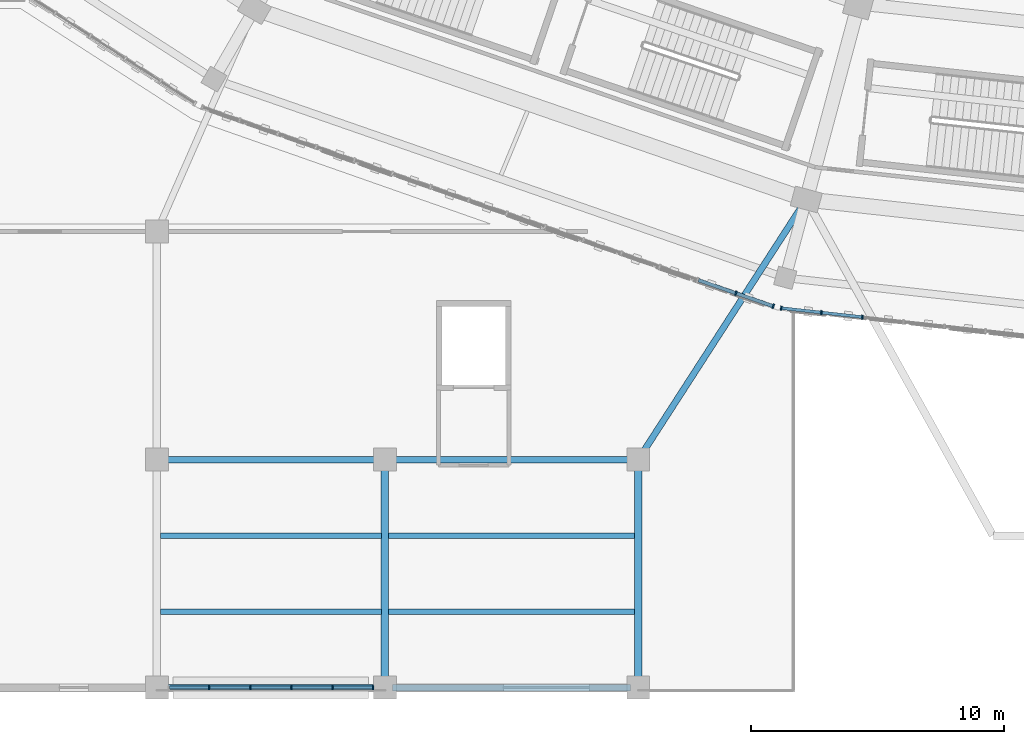
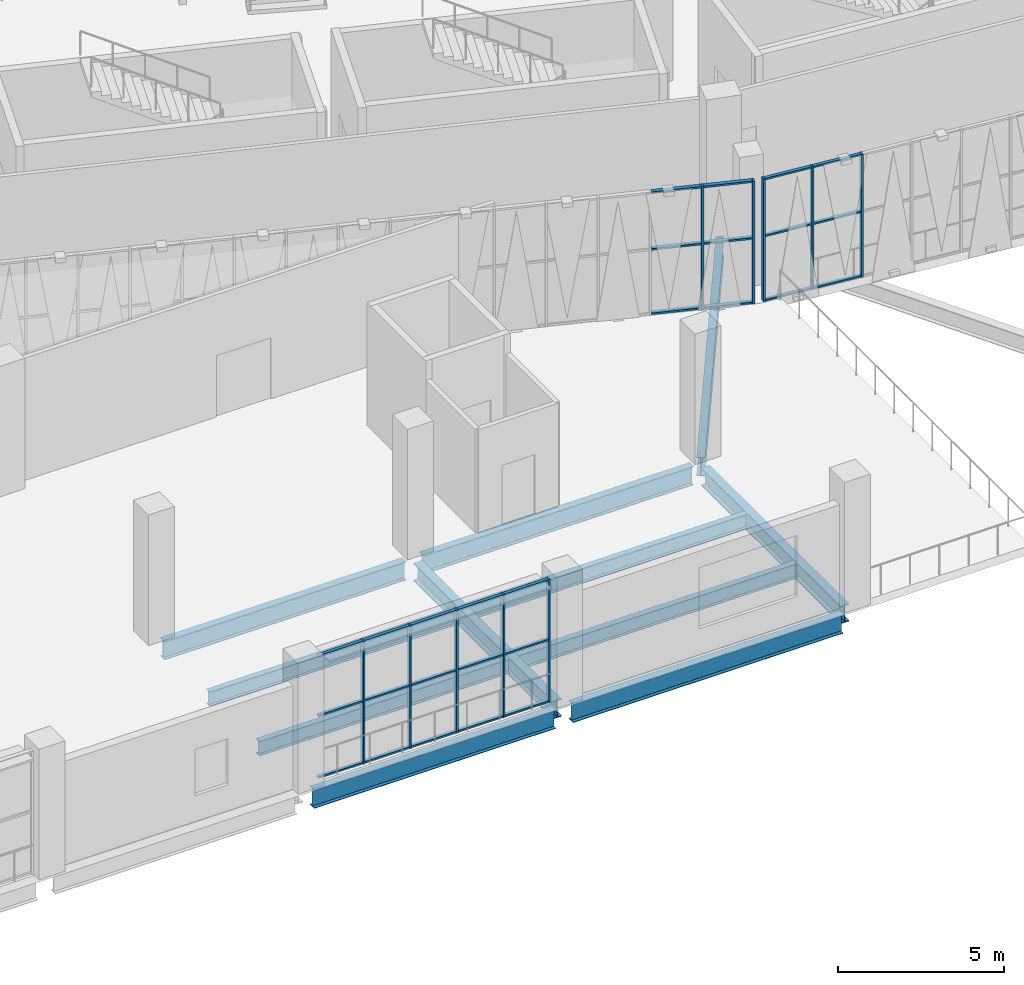
# One storey, part 12 of 183: 37 members, 11 beams, 3 elements without a shape of their own.
"""IFC4 building model written with IfcOpenShell, lengths in metres."""

from ifc_helpers import new_model, si_unit, direction, frame, origin, origin_2d, place, context, subcontext, project, spatial, rectangle, i_section, extrude, material, material_profile, profile_set, type_object, element, aggregate, save


model = new_model("IFC4")

# Units and contexts
model_context = context("Model", 3, precision=1e-05, world=origin(), true_north=direction((0.0, 1.0)))
body_context = subcontext(model_context, "Body", "Model", "MODEL_VIEW")
ifc_project = project(units=[si_unit("LENGTHUNIT", "METRE"), si_unit("AREAUNIT", "SQUARE_METRE"), si_unit("VOLUMEUNIT", "CUBIC_METRE"), si_unit("PLANEANGLEUNIT", "RADIAN"), si_unit("MASSUNIT", "GRAM", prefix="KILO")], contexts=[model_context])

# Site, building, storey
site_placement = place(None, origin())
site = spatial("IfcSite", under=ifc_project, at=site_placement, CompositionType="ELEMENT")
building_placement = place(site_placement, origin())
building = spatial("IfcBuilding", under=site, at=building_placement, Name="Zevraka Park Crest Stadium", CompositionType="ELEMENT")
storey_placement = place(building_placement, frame((0.0, 0.0, 5.39990234375)))
storey = spatial("IfcBuildingStorey", under=building, at=storey_placement, Name="L01", CompositionType="ELEMENT", Elevation=5.39990234375)

# Beams
ifc_material_1 = material(Name="Steel S355", Category="steel")
ifc_material_profile_1 = material_profile(ifc_material_1, i_section(OverallWidth=0.253662109375, OverallDepth=0.68359375, WebThickness=0.012451171875, FlangeThickness=0.01904296875, at=origin_2d()), Name="UKB 686x254x140")
ifc_profile_set_1 = profile_set([ifc_material_profile_1], Name="Steel S355")
beam_type_1 = type_object("IfcBeamType", Name="BG05", PredefinedType="BEAM", material=ifc_profile_set_1)
for number, where, z_axis, x_axis, name in (
    (1, (63.300048828125, 0.0, -0.649658203125), (1.0, 0.0, 0.0), (0.0, 1.0, 0.0), "Wing Girder BG05 L01-89/A"),
    (2, (63.300048828125, 9.0, -0.649658203125), (1.0, 0.0, 0.0), (0.0, 1.0, 0.0), "Wing Girder BG05 L01-89/B"),
):
    element("IfcBeam", number, at=place(storey_placement, frame(where, z_axis=z_axis, x_axis=x_axis)), inside=storey, type_object=beam_type_1, Name=name, PredefinedType="BEAM", context=body_context, shape_type="SweptSolid", body=[
        extrude(i_section(OverallWidth=0.253662109375, OverallDepth=0.68359375, WebThickness=0.012451171875, FlangeThickness=0.01904296875, at=origin_2d()), origin(), (0.0, 0.0, 1.0), 8.39990234375),
    ])
for number, where, z_axis, x_axis, name in (
    (3, (72.300048828125, 0.0, -0.649658203125), (1.0, 0.0, 0.0), (0.0, 1.0, 0.0), "Wing Girder BG05 L01-910/A"),
    (4, (72.300048828125, 9.0, -0.649658203125), (1.0, 0.0, 0.0), (0.0, 1.0, 0.0), "Wing Girder BG05 L01-910/B"),
):
    element("IfcBeam", number, at=place(storey_placement, frame(where, z_axis=z_axis, x_axis=x_axis)), inside=storey, type_object=beam_type_1, Name=name, PredefinedType="BEAM", context=body_context, shape_type="SweptSolid", body=[
        extrude(i_section(OverallWidth=0.253662109375, OverallDepth=0.68359375, WebThickness=0.012451171875, FlangeThickness=0.01904296875, at=origin_2d()), origin(), (0.0, 0.0, 1.0), 9.39990234375),
    ])
beam_placement = place(storey_placement, frame((82.10791015625, 9.16796875, -0.649658203125), z_axis=(0.542497990174, 0.840057099641, 0.0), x_axis=(-0.840057099641, 0.542497990174, 0.0)))
element("IfcBeam", 5, at=beam_placement, inside=storey, type_object=beam_type_1, Name="Wing Link Girder BG05 L01-10/B", PredefinedType="BEAM", context=body_context, shape_type="SweptSolid", body=[
    extrude(i_section(OverallWidth=0.253662109375, OverallDepth=0.68359375, WebThickness=0.012451171875, FlangeThickness=0.01904296875, at=origin_2d()), origin(), (0.0, 0.0, 1.0), 11.640869140625),
])
ifc_material_2 = material(Name="Steel S355", Category="steel")
ifc_material_profile_2 = material_profile(ifc_material_2, i_section(OverallWidth=0.300048828125, OverallDepth=0.64990234375, WebThickness=0.01611328125, FlangeThickness=0.031005859375, at=origin_2d()), Name="HEB 650")
ifc_profile_set_2 = profile_set([ifc_material_profile_2], Name="Steel S355")
beam_type_2 = type_object("IfcBeamType", Name="BG07", PredefinedType="BEAM", material=ifc_profile_set_2)
for number, where, z_axis, x_axis, name in (
    (6, (72.0, 0.300048828125, -0.6328125), (0.0, 1.0, 0.0), (-1.0, 0.0, 0.0), "Wing Girder BG07 L01-9/AB"),
    (7, (82.0, 0.300048828125, -0.6328125), (0.0, 1.0, 0.0), (-1.0, 0.0, 0.0), "Wing Girder BG07 L01-10/AB"),
):
    element("IfcBeam", number, at=place(storey_placement, frame(where, z_axis=z_axis, x_axis=x_axis)), inside=storey, type_object=beam_type_2, Name=name, PredefinedType="BEAM", context=body_context, shape_type="SweptSolid", body=[
        extrude(i_section(OverallWidth=0.300048828125, OverallDepth=0.64990234375, WebThickness=0.01611328125, FlangeThickness=0.031005859375, at=origin_2d()), origin(), (0.0, 0.0, 1.0), 8.39990234375),
    ])

# Curtain wall, members
ifc_material_3 = material(Name="Anodised architectural aluminium and laminated safety glass", Category="aluminium")
curtain_wall_type_1 = type_object("IfcCurtainWallType", Name="CW01", PredefinedType="NOTDEFINED", material=ifc_material_3)
curtain_wall_1_placement = place(storey_placement, origin())
curtain_wall_1 = element("IfcCurtainWall", 8, at=curtain_wall_1_placement, inside=storey, type_object=curtain_wall_type_1, Name="Unitised Ring Curtain Wall CW01 L01-17", PredefinedType="NOTDEFINED")
ifc_material_4 = material(Name="Anodised architectural aluminium", Category="aluminium")
ifc_material_profile_3 = material_profile(ifc_material_4, rectangle(XDim=0.159912109375, YDim=0.06005859375, at=origin_2d()), Name="ALU MULLION 160x60")
ifc_profile_set_3 = profile_set([ifc_material_profile_3], Name="Anodised architectural aluminium")
member_type_1 = type_object("IfcMemberType", Name="CM01", PredefinedType="MULLION", material=ifc_profile_set_3)
member_1_placement = place(storey_placement, frame((87.641845703125, 14.979736328125, 0.0), z_axis=(0.0, 0.0, 1.0), x_axis=(0.110134718639, 0.993916668414, 0.0)))
member_1 = element("IfcMember", 9, at=member_1_placement, type_object=member_type_1, Name="CW01 mullion 1", PredefinedType="MULLION", context=body_context, shape_type="SweptSolid", body=[
    extrude(rectangle(XDim=0.159912109375, YDim=0.06005859375, at=origin_2d()), origin(), (0.0, 0.0, 1.0), 4.52001953125),
])
member_2_placement = place(storey_placement, frame((89.229248046875, 14.8037109375, 0.0), z_axis=(0.0, 0.0, 1.0), x_axis=(0.110134718639, 0.993916668414, 0.0)))
member_2 = element("IfcMember", 10, at=member_2_placement, type_object=member_type_1, Name="CW01 mullion 2", PredefinedType="MULLION", context=body_context, shape_type="SweptSolid", body=[
    extrude(rectangle(XDim=0.159912109375, YDim=0.06005859375, at=origin_2d()), origin(), (0.0, 0.0, 1.0), 4.52001953125),
])
member_3_placement = place(storey_placement, frame((90.846435546875, 14.62451171875, 0.0), z_axis=(0.0, 0.0, 1.0), x_axis=(0.110134718639, 0.993916668414, 0.0)))
member_3 = element("IfcMember", 11, at=member_3_placement, type_object=member_type_1, Name="CW01 mullion 3", PredefinedType="MULLION", context=body_context, shape_type="SweptSolid", body=[
    extrude(rectangle(XDim=0.159912109375, YDim=0.06005859375, at=origin_2d()), origin(), (0.0, 0.0, 1.0), 4.52001953125),
])

ifc_material_5 = material(Name="Anodised architectural aluminium and laminated safety glass", Category="aluminium")
curtain_wall_type_2 = type_object("IfcCurtainWallType", Name="CW28", PredefinedType="NOTDEFINED", material=ifc_material_5)
curtain_wall_2_placement = place(storey_placement, origin())
curtain_wall_2 = element("IfcCurtainWall", 12, at=curtain_wall_2_placement, inside=storey, type_object=curtain_wall_type_2, Name="Wing Curtain Wall CW28 L01-SW-S1-2", PredefinedType="NOTDEFINED")
member_4_placement = place(storey_placement, frame((71.530029296875, 0.0, 0.0), z_axis=(0.0, 0.0, 1.0), x_axis=(0.0, -1.0, 0.0)))
member_4 = element("IfcMember", 13, at=member_4_placement, type_object=member_type_1, Name="CW28 mullion 1", PredefinedType="MULLION", context=body_context, shape_type="SweptSolid", body=[
    extrude(rectangle(XDim=0.159912109375, YDim=0.06005859375, at=origin_2d()), origin(), (0.0, 0.0, 1.0), 4.52001953125),
])
member_5_placement = place(storey_placement, frame((69.93603515625, 0.0, 0.0), z_axis=(0.0, 0.0, 1.0), x_axis=(0.0, -1.0, 0.0)))
member_5 = element("IfcMember", 14, at=member_5_placement, type_object=member_type_1, Name="CW28 mullion 2", PredefinedType="MULLION", context=body_context, shape_type="SweptSolid", body=[
    extrude(rectangle(XDim=0.159912109375, YDim=0.06005859375, at=origin_2d()), origin(), (0.0, 0.0, 1.0), 4.52001953125),
])
member_6_placement = place(storey_placement, frame((68.31201171875, 0.0, 0.0), z_axis=(0.0, 0.0, 1.0), x_axis=(0.0, -1.0, 0.0)))
member_6 = element("IfcMember", 15, at=member_6_placement, type_object=member_type_1, Name="CW28 mullion 3", PredefinedType="MULLION", context=body_context, shape_type="SweptSolid", body=[
    extrude(rectangle(XDim=0.159912109375, YDim=0.06005859375, at=origin_2d()), origin(), (0.0, 0.0, 1.0), 4.52001953125),
])
member_7_placement = place(storey_placement, frame((66.68798828125, 0.0, 0.0), z_axis=(0.0, 0.0, 1.0), x_axis=(0.0, -1.0, 0.0)))
member_7 = element("IfcMember", 16, at=member_7_placement, type_object=member_type_1, Name="CW28 mullion 4", PredefinedType="MULLION", context=body_context, shape_type="SweptSolid", body=[
    extrude(rectangle(XDim=0.159912109375, YDim=0.06005859375, at=origin_2d()), origin(), (0.0, 0.0, 1.0), 4.52001953125),
])
member_8_placement = place(storey_placement, frame((65.06396484375, 0.0, 0.0), z_axis=(0.0, 0.0, 1.0), x_axis=(0.0, -1.0, 0.0)))
member_8 = element("IfcMember", 17, at=member_8_placement, type_object=member_type_1, Name="CW28 mullion 5", PredefinedType="MULLION", context=body_context, shape_type="SweptSolid", body=[
    extrude(rectangle(XDim=0.159912109375, YDim=0.06005859375, at=origin_2d()), origin(), (0.0, 0.0, 1.0), 4.52001953125),
])

ifc_material_6 = material(Name="Anodised architectural aluminium and laminated safety glass", Category="aluminium")
curtain_wall_type_3 = type_object("IfcCurtainWallType", Name="CW02", PredefinedType="NOTDEFINED", material=ifc_material_6)
curtain_wall_3_placement = place(storey_placement, origin())
curtain_wall_3 = element("IfcCurtainWall", 18, at=curtain_wall_3_placement, inside=storey, type_object=curtain_wall_type_3, Name="Unitised Ring Curtain Wall CW02 L01-16", PredefinedType="NOTDEFINED")
ifc_material_7 = material(Name="Anodised architectural aluminium", Category="aluminium")
ifc_material_profile_4 = material_profile(ifc_material_7, rectangle(XDim=0.179931640625, YDim=0.06494140625, at=origin_2d()), Name="ALU MULLION 180x65")
ifc_profile_set_4 = profile_set([ifc_material_profile_4], Name="Anodised architectural aluminium")
member_type_2 = type_object("IfcMemberType", Name="CM02", PredefinedType="MULLION", material=ifc_profile_set_4)
member_9_placement = place(storey_placement, frame((85.851318359375, 15.566162109375, 0.0), z_axis=(0.0, 0.0, 1.0), x_axis=(0.329209289879, 0.944256979565, 0.0)))
member_9 = element("IfcMember", 19, at=member_9_placement, type_object=member_type_2, Name="CW02 mullion 15", PredefinedType="MULLION", context=body_context, shape_type="SweptSolid", body=[
    extrude(rectangle(XDim=0.179931640625, YDim=0.06494140625, at=origin_2d()), origin(), (0.0, 0.0, 1.0), 4.52001953125),
])
member_10_placement = place(storey_placement, frame((87.327392578125, 15.0517578125, 0.0), z_axis=(0.0, 0.0, 1.0), x_axis=(0.329209289879, 0.944256979565, 0.0)))
member_10 = element("IfcMember", 20, at=member_10_placement, type_object=member_type_2, Name="CW02 mullion 16", PredefinedType="MULLION", context=body_context, shape_type="SweptSolid", body=[
    extrude(rectangle(XDim=0.179931640625, YDim=0.06494140625, at=origin_2d()), origin(), (0.0, 0.0, 1.0), 4.52001953125),
])

# Member
ifc_material_8 = material(Name="Anodised architectural aluminium", Category="aluminium")
ifc_material_profile_5 = material_profile(ifc_material_8, rectangle(XDim=0.1201171875, YDim=0.06005859375, at=origin_2d()), Name="ALU TRANSOM 120x60")
ifc_profile_set_5 = profile_set([ifc_material_profile_5], Name="Anodised architectural aluminium")
member_type_3 = type_object("IfcMemberType", Name="CT01", PredefinedType="USERDEFINED", material=ifc_profile_set_5)
member_11_placement = place(storey_placement, frame((87.671630859375, 14.976318359375, 0.030029296875), z_axis=(0.99392434185, -0.110065447252, 0.0), x_axis=(0.110065447252, 0.99392434185, 0.0)))
member_11 = element("IfcMember", 21, at=member_11_placement, type_object=member_type_3, Name="CW01 transom 1.1", ObjectType="TRANSOM", PredefinedType="USERDEFINED", context=body_context, shape_type="SweptSolid", body=[
    extrude(rectangle(XDim=0.1201171875, YDim=0.06005859375, at=origin_2d()), origin(), (0.0, 0.0, 1.0), 1.537109375),
])

member_12_placement = place(storey_placement, frame((87.671630859375, 14.976318359375, 2.400146484375), z_axis=(0.99392434185, -0.110065447252, 0.0), x_axis=(0.110065447252, 0.99392434185, 0.0)))
member_12 = element("IfcMember", 22, at=member_12_placement, type_object=member_type_3, Name="CW01 transom 1.2", ObjectType="TRANSOM", PredefinedType="USERDEFINED", context=body_context, shape_type="SweptSolid", body=[
    extrude(rectangle(XDim=0.1201171875, YDim=0.06005859375, at=origin_2d()), origin(), (0.0, 0.0, 1.0), 1.537109375),
])

member_13_placement = place(storey_placement, frame((87.671630859375, 14.976318359375, 4.489990234375), z_axis=(0.99392434185, -0.110065447252, 0.0), x_axis=(0.110065447252, 0.99392434185, 0.0)))
member_13 = element("IfcMember", 23, at=member_13_placement, type_object=member_type_3, Name="CW01 transom 1.3", ObjectType="TRANSOM", PredefinedType="USERDEFINED", context=body_context, shape_type="SweptSolid", body=[
    extrude(rectangle(XDim=0.1201171875, YDim=0.06005859375, at=origin_2d()), origin(), (0.0, 0.0, 1.0), 1.537109375),
])

member_14_placement = place(storey_placement, frame((89.259033203125, 14.800537109375, 0.030029296875), z_axis=(0.993915989308, -0.110140847091, 0.0), x_axis=(0.110140847091, 0.993915989308, 0.0)))
member_14 = element("IfcMember", 24, at=member_14_placement, type_object=member_type_3, Name="CW01 transom 2.1", ObjectType="TRANSOM", PredefinedType="USERDEFINED", context=body_context, shape_type="SweptSolid", body=[
    extrude(rectangle(XDim=0.1201171875, YDim=0.06005859375, at=origin_2d()), origin(), (0.0, 0.0, 1.0), 1.567138671875),
])

member_15_placement = place(storey_placement, frame((89.259033203125, 14.800537109375, 2.400146484375), z_axis=(0.993915989308, -0.110140847091, 0.0), x_axis=(0.110140847091, 0.993915989308, 0.0)))
member_15 = element("IfcMember", 25, at=member_15_placement, type_object=member_type_3, Name="CW01 transom 2.2", ObjectType="TRANSOM", PredefinedType="USERDEFINED", context=body_context, shape_type="SweptSolid", body=[
    extrude(rectangle(XDim=0.1201171875, YDim=0.06005859375, at=origin_2d()), origin(), (0.0, 0.0, 1.0), 1.567138671875),
])

member_16_placement = place(storey_placement, frame((89.259033203125, 14.800537109375, 4.489990234375), z_axis=(0.993915989308, -0.110140847091, 0.0), x_axis=(0.110140847091, 0.993915989308, 0.0)))
member_16 = element("IfcMember", 26, at=member_16_placement, type_object=member_type_3, Name="CW01 transom 2.3", ObjectType="TRANSOM", PredefinedType="USERDEFINED", context=body_context, shape_type="SweptSolid", body=[
    extrude(rectangle(XDim=0.1201171875, YDim=0.06005859375, at=origin_2d()), origin(), (0.0, 0.0, 1.0), 1.567138671875),
])

aggregate(curtain_wall_1, [member_1, member_2, member_3, member_11, member_12, member_13, member_14, member_15, member_16])

member_17_placement = place(storey_placement, frame((71.5, 0.0, 0.030029296875), z_axis=(-1.0, 0.0, 0.0), x_axis=(0.0, -1.0, 0.0)))
member_17 = element("IfcMember", 27, at=member_17_placement, type_object=member_type_3, Name="CW28 transom 1.1", ObjectType="TRANSOM", PredefinedType="USERDEFINED", context=body_context, shape_type="SweptSolid", body=[
    extrude(rectangle(XDim=0.1201171875, YDim=0.06005859375, at=origin_2d()), origin(), (0.0, 0.0, 1.0), 1.533935546875),
])

member_18_placement = place(storey_placement, frame((71.5, 0.0, 2.300048828125), z_axis=(-1.0, 0.0, 0.0), x_axis=(0.0, -1.0, 0.0)))
member_18 = element("IfcMember", 28, at=member_18_placement, type_object=member_type_3, Name="CW28 transom 1.2", ObjectType="TRANSOM", PredefinedType="USERDEFINED", context=body_context, shape_type="SweptSolid", body=[
    extrude(rectangle(XDim=0.1201171875, YDim=0.06005859375, at=origin_2d()), origin(), (0.0, 0.0, 1.0), 1.533935546875),
])

member_19_placement = place(storey_placement, frame((71.5, 0.0, 4.489990234375), z_axis=(-1.0, 0.0, 0.0), x_axis=(0.0, -1.0, 0.0)))
member_19 = element("IfcMember", 29, at=member_19_placement, type_object=member_type_3, Name="CW28 transom 1.3", ObjectType="TRANSOM", PredefinedType="USERDEFINED", context=body_context, shape_type="SweptSolid", body=[
    extrude(rectangle(XDim=0.1201171875, YDim=0.06005859375, at=origin_2d()), origin(), (0.0, 0.0, 1.0), 1.533935546875),
])

member_20_placement = place(storey_placement, frame((69.906005859375, 0.0, 0.030029296875), z_axis=(-1.0, 0.0, 0.0), x_axis=(0.0, -1.0, 0.0)))
member_20 = element("IfcMember", 30, at=member_20_placement, type_object=member_type_3, Name="CW28 transom 2.1", ObjectType="TRANSOM", PredefinedType="USERDEFINED", context=body_context, shape_type="SweptSolid", body=[
    extrude(rectangle(XDim=0.1201171875, YDim=0.06005859375, at=origin_2d()), origin(), (0.0, 0.0, 1.0), 1.56396484375),
])

member_21_placement = place(storey_placement, frame((69.906005859375, 0.0, 2.300048828125), z_axis=(-1.0, 0.0, 0.0), x_axis=(0.0, -1.0, 0.0)))
member_21 = element("IfcMember", 31, at=member_21_placement, type_object=member_type_3, Name="CW28 transom 2.2", ObjectType="TRANSOM", PredefinedType="USERDEFINED", context=body_context, shape_type="SweptSolid", body=[
    extrude(rectangle(XDim=0.1201171875, YDim=0.06005859375, at=origin_2d()), origin(), (0.0, 0.0, 1.0), 1.56396484375),
])

member_22_placement = place(storey_placement, frame((69.906005859375, 0.0, 4.489990234375), z_axis=(-1.0, 0.0, 0.0), x_axis=(0.0, -1.0, 0.0)))
member_22 = element("IfcMember", 32, at=member_22_placement, type_object=member_type_3, Name="CW28 transom 2.3", ObjectType="TRANSOM", PredefinedType="USERDEFINED", context=body_context, shape_type="SweptSolid", body=[
    extrude(rectangle(XDim=0.1201171875, YDim=0.06005859375, at=origin_2d()), origin(), (0.0, 0.0, 1.0), 1.56396484375),
])

member_23_placement = place(storey_placement, frame((68.281982421875, 0.0, 0.030029296875), z_axis=(-1.0, 0.0, 0.0), x_axis=(0.0, -1.0, 0.0)))
member_23 = element("IfcMember", 33, at=member_23_placement, type_object=member_type_3, Name="CW28 transom 3.1", ObjectType="TRANSOM", PredefinedType="USERDEFINED", context=body_context, shape_type="SweptSolid", body=[
    extrude(rectangle(XDim=0.1201171875, YDim=0.06005859375, at=origin_2d()), origin(), (0.0, 0.0, 1.0), 1.56396484375),
])

member_24_placement = place(storey_placement, frame((68.281982421875, 0.0, 2.300048828125), z_axis=(-1.0, 0.0, 0.0), x_axis=(0.0, -1.0, 0.0)))
member_24 = element("IfcMember", 34, at=member_24_placement, type_object=member_type_3, Name="CW28 transom 3.2", ObjectType="TRANSOM", PredefinedType="USERDEFINED", context=body_context, shape_type="SweptSolid", body=[
    extrude(rectangle(XDim=0.1201171875, YDim=0.06005859375, at=origin_2d()), origin(), (0.0, 0.0, 1.0), 1.56396484375),
])

member_25_placement = place(storey_placement, frame((68.281982421875, 0.0, 4.489990234375), z_axis=(-1.0, 0.0, 0.0), x_axis=(0.0, -1.0, 0.0)))
member_25 = element("IfcMember", 35, at=member_25_placement, type_object=member_type_3, Name="CW28 transom 3.3", ObjectType="TRANSOM", PredefinedType="USERDEFINED", context=body_context, shape_type="SweptSolid", body=[
    extrude(rectangle(XDim=0.1201171875, YDim=0.06005859375, at=origin_2d()), origin(), (0.0, 0.0, 1.0), 1.56396484375),
])

member_26_placement = place(storey_placement, frame((66.657958984375, 0.0, 0.030029296875), z_axis=(-1.0, 0.0, 0.0), x_axis=(0.0, -1.0, 0.0)))
member_26 = element("IfcMember", 36, at=member_26_placement, type_object=member_type_3, Name="CW28 transom 4.1", ObjectType="TRANSOM", PredefinedType="USERDEFINED", context=body_context, shape_type="SweptSolid", body=[
    extrude(rectangle(XDim=0.1201171875, YDim=0.06005859375, at=origin_2d()), origin(), (0.0, 0.0, 1.0), 1.56396484375),
])

member_27_placement = place(storey_placement, frame((66.657958984375, 0.0, 2.300048828125), z_axis=(-1.0, 0.0, 0.0), x_axis=(0.0, -1.0, 0.0)))
member_27 = element("IfcMember", 37, at=member_27_placement, type_object=member_type_3, Name="CW28 transom 4.2", ObjectType="TRANSOM", PredefinedType="USERDEFINED", context=body_context, shape_type="SweptSolid", body=[
    extrude(rectangle(XDim=0.1201171875, YDim=0.06005859375, at=origin_2d()), origin(), (0.0, 0.0, 1.0), 1.56396484375),
])

member_28_placement = place(storey_placement, frame((66.657958984375, 0.0, 4.489990234375), z_axis=(-1.0, 0.0, 0.0), x_axis=(0.0, -1.0, 0.0)))
member_28 = element("IfcMember", 38, at=member_28_placement, type_object=member_type_3, Name="CW28 transom 4.3", ObjectType="TRANSOM", PredefinedType="USERDEFINED", context=body_context, shape_type="SweptSolid", body=[
    extrude(rectangle(XDim=0.1201171875, YDim=0.06005859375, at=origin_2d()), origin(), (0.0, 0.0, 1.0), 1.56396484375),
])

member_29_placement = place(storey_placement, frame((65.033935546875, 0.0, 0.030029296875), z_axis=(-1.0, 0.0, 0.0), x_axis=(0.0, -1.0, 0.0)))
member_29 = element("IfcMember", 39, at=member_29_placement, type_object=member_type_3, Name="CW28 transom 5.1", ObjectType="TRANSOM", PredefinedType="USERDEFINED", context=body_context, shape_type="SweptSolid", body=[
    extrude(rectangle(XDim=0.1201171875, YDim=0.06005859375, at=origin_2d()), origin(), (0.0, 0.0, 1.0), 1.533935546875),
])

member_30_placement = place(storey_placement, frame((65.033935546875, 0.0, 2.300048828125), z_axis=(-1.0, 0.0, 0.0), x_axis=(0.0, -1.0, 0.0)))
member_30 = element("IfcMember", 40, at=member_30_placement, type_object=member_type_3, Name="CW28 transom 5.2", ObjectType="TRANSOM", PredefinedType="USERDEFINED", context=body_context, shape_type="SweptSolid", body=[
    extrude(rectangle(XDim=0.1201171875, YDim=0.06005859375, at=origin_2d()), origin(), (0.0, 0.0, 1.0), 1.533935546875),
])

member_31_placement = place(storey_placement, frame((65.033935546875, 0.0, 4.489990234375), z_axis=(-1.0, 0.0, 0.0), x_axis=(0.0, -1.0, 0.0)))
member_31 = element("IfcMember", 41, at=member_31_placement, type_object=member_type_3, Name="CW28 transom 5.3", ObjectType="TRANSOM", PredefinedType="USERDEFINED", context=body_context, shape_type="SweptSolid", body=[
    extrude(rectangle(XDim=0.1201171875, YDim=0.06005859375, at=origin_2d()), origin(), (0.0, 0.0, 1.0), 1.533935546875),
])

aggregate(curtain_wall_2, [member_4, member_5, member_6, member_7, member_8, member_17, member_18, member_19, member_20, member_21, member_22, member_23, member_24, member_25, member_26, member_27, member_28, member_29, member_30, member_31])

ifc_material_9 = material(Name="Anodised architectural aluminium", Category="aluminium")
ifc_material_profile_6 = material_profile(ifc_material_9, rectangle(XDim=0.139892578125, YDim=0.06494140625, at=origin_2d()), Name="ALU TRANSOM 140x65")
ifc_profile_set_6 = profile_set([ifc_material_profile_6], Name="Anodised architectural aluminium")
member_type_4 = type_object("IfcMemberType", Name="CT02", PredefinedType="USERDEFINED", material=ifc_profile_set_6)
member_32_placement = place(storey_placement, frame((84.37548828125, 16.080810546875, 0.03271484375), z_axis=(0.944255540278, -0.329213418097, 0.0), x_axis=(0.329213418097, 0.944255540278, 0.0)))
member_32 = element("IfcMember", 42, at=member_32_placement, type_object=member_type_4, Name="CW02 transom 14.1", ObjectType="TRANSOM", PredefinedType="USERDEFINED", context=body_context, shape_type="SweptSolid", body=[
    extrude(rectangle(XDim=0.139892578125, YDim=0.06494140625, at=origin_2d()), origin(), (0.0, 0.0, 1.0), 1.530517578125),
])

member_33_placement = place(storey_placement, frame((84.37548828125, 16.080810546875, 2.400146484375), z_axis=(0.944255540278, -0.329213418097, 0.0), x_axis=(0.329213418097, 0.944255540278, 0.0)))
member_33 = element("IfcMember", 43, at=member_33_placement, type_object=member_type_4, Name="CW02 transom 14.2", ObjectType="TRANSOM", PredefinedType="USERDEFINED", context=body_context, shape_type="SweptSolid", body=[
    extrude(rectangle(XDim=0.139892578125, YDim=0.06494140625, at=origin_2d()), origin(), (0.0, 0.0, 1.0), 1.530517578125),
])

member_34_placement = place(storey_placement, frame((84.37548828125, 16.080810546875, 4.487548828125), z_axis=(0.944255540278, -0.329213418097, 0.0), x_axis=(0.329213418097, 0.944255540278, 0.0)))
member_34 = element("IfcMember", 44, at=member_34_placement, type_object=member_type_4, Name="CW02 transom 14.3", ObjectType="TRANSOM", PredefinedType="USERDEFINED", context=body_context, shape_type="SweptSolid", body=[
    extrude(rectangle(XDim=0.139892578125, YDim=0.06494140625, at=origin_2d()), origin(), (0.0, 0.0, 1.0), 1.530517578125),
])

member_35_placement = place(storey_placement, frame((85.882080078125, 15.5556640625, 0.03271484375), z_axis=(0.944259100234, -0.329203207192, 0.0), x_axis=(0.329203207192, 0.944259100234, 0.0)))
member_35 = element("IfcMember", 45, at=member_35_placement, type_object=member_type_4, Name="CW02 transom 15.1", ObjectType="TRANSOM", PredefinedType="USERDEFINED", context=body_context, shape_type="SweptSolid", body=[
    extrude(rectangle(XDim=0.139892578125, YDim=0.06494140625, at=origin_2d()), origin(), (0.0, 0.0, 1.0), 1.498046875),
])

member_36_placement = place(storey_placement, frame((85.882080078125, 15.5556640625, 2.400146484375), z_axis=(0.944259100234, -0.329203207192, 0.0), x_axis=(0.329203207192, 0.944259100234, 0.0)))
member_36 = element("IfcMember", 46, at=member_36_placement, type_object=member_type_4, Name="CW02 transom 15.2", ObjectType="TRANSOM", PredefinedType="USERDEFINED", context=body_context, shape_type="SweptSolid", body=[
    extrude(rectangle(XDim=0.139892578125, YDim=0.06494140625, at=origin_2d()), origin(), (0.0, 0.0, 1.0), 1.498046875),
])

member_37_placement = place(storey_placement, frame((85.882080078125, 15.5556640625, 4.487548828125), z_axis=(0.944259100234, -0.329203207192, 0.0), x_axis=(0.329203207192, 0.944259100234, 0.0)))
member_37 = element("IfcMember", 47, at=member_37_placement, type_object=member_type_4, Name="CW02 transom 15.3", ObjectType="TRANSOM", PredefinedType="USERDEFINED", context=body_context, shape_type="SweptSolid", body=[
    extrude(rectangle(XDim=0.139892578125, YDim=0.06494140625, at=origin_2d()), origin(), (0.0, 0.0, 1.0), 1.498046875),
])

aggregate(curtain_wall_3, [member_9, member_10, member_32, member_33, member_34, member_35, member_36, member_37])

# Beams
ifc_material_10 = material(Name="Steel S355", Category="steel")
ifc_material_profile_7 = material_profile(ifc_material_10, i_section(OverallWidth=0.209228515625, OverallDepth=0.533203125, WebThickness=0.010009765625, FlangeThickness=0.015625, at=origin_2d()), Name="UKB 533x210x92")
ifc_profile_set_7 = profile_set([ifc_material_profile_7], Name="Steel S355")
beam_type_3 = type_object("IfcBeamType", Name="SJ05", PredefinedType="JOIST", material=ifc_profile_set_7)
for number, where, z_axis, x_axis, name in (
    (48, (63.14501953125, 3.0, -0.576416015625), (1.0, 0.0, 0.0), (0.0, 1.0, 0.0), "Wing Joist SJ05 L01-8/A-1"),
    (49, (63.14501953125, 6.0, -0.576416015625), (1.0, 0.0, 0.0), (0.0, 1.0, 0.0), "Wing Joist SJ05 L01-8/A-2"),
):
    element("IfcBeam", number, at=place(storey_placement, frame(where, z_axis=z_axis, x_axis=x_axis)), inside=storey, type_object=beam_type_3, Name=name, PredefinedType="JOIST", context=body_context, shape_type="SweptSolid", body=[
        extrude(i_section(OverallWidth=0.209228515625, OverallDepth=0.533203125, WebThickness=0.010009765625, FlangeThickness=0.015625, at=origin_2d()), origin(), (0.0, 0.0, 1.0), 8.7099609375),
    ])
for number, where, z_axis, x_axis, name in (
    (50, (72.14501953125, 3.0, -0.576416015625), (1.0, 0.0, 0.0), (0.0, 1.0, 0.0), "Wing Joist SJ05 L01-9/A-1"),
    (51, (72.14501953125, 6.0, -0.576416015625), (1.0, 0.0, 0.0), (0.0, 1.0, 0.0), "Wing Joist SJ05 L01-9/A-2"),
):
    element("IfcBeam", number, at=place(storey_placement, frame(where, z_axis=z_axis, x_axis=x_axis)), inside=storey, type_object=beam_type_3, Name=name, PredefinedType="JOIST", context=body_context, shape_type="SweptSolid", body=[
        extrude(i_section(OverallWidth=0.209228515625, OverallDepth=0.533203125, WebThickness=0.010009765625, FlangeThickness=0.015625, at=origin_2d()), origin(), (0.0, 0.0, 1.0), 9.7099609375),
    ])

save(model, "model.ifc")
